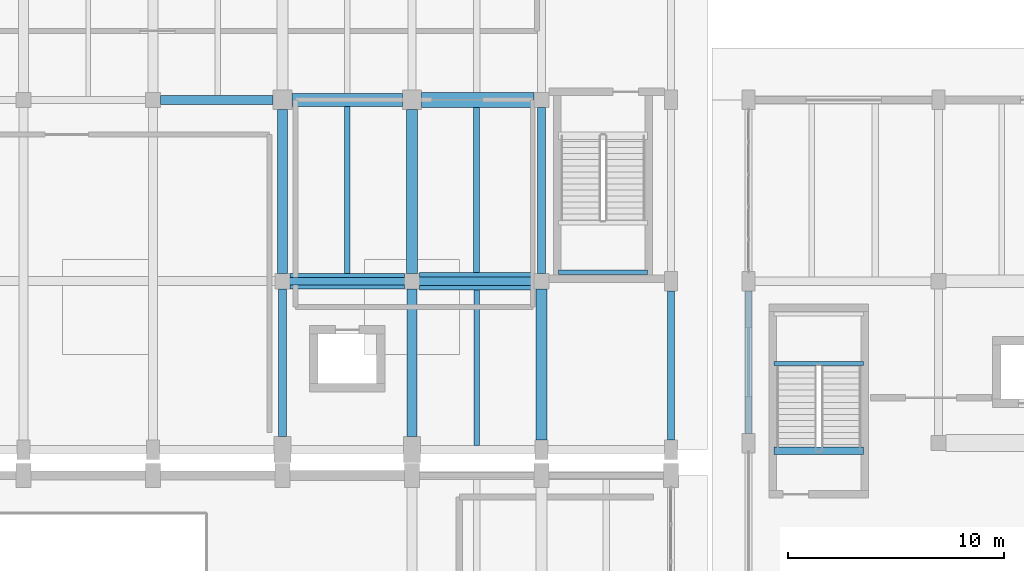
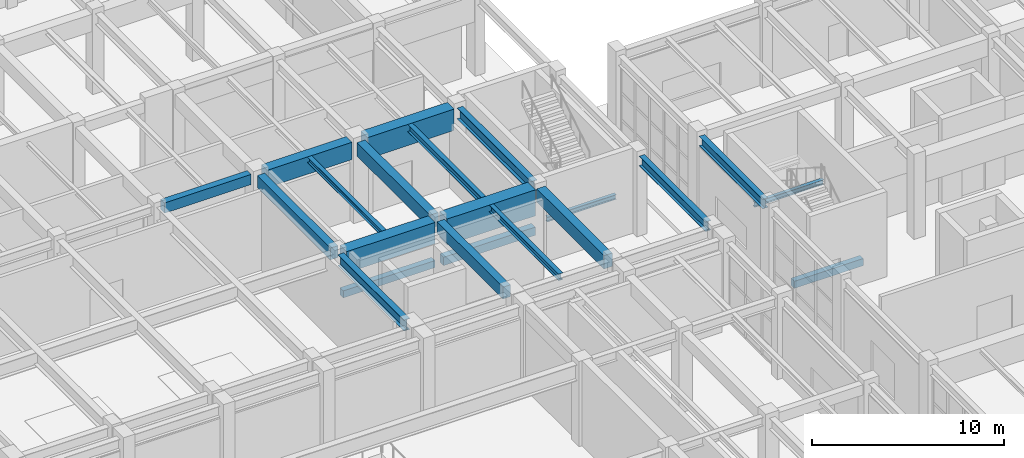
# One storey, part 46 of 91: 21 beams.
"""IFC4 building model written with IfcOpenShell, lengths in metres."""

from ifc_helpers import new_model, si_unit, direction, frame, origin, origin_2d, place, context, subcontext, project, spatial, rectangle, i_section, extrude, material, material_profile, profile_set, type_object, element, save


model = new_model("IFC4")

# Units and contexts
model_context = context("Model", 3, precision=1e-05, world=origin(), true_north=direction((0.0, 1.0)))
body_context = subcontext(model_context, "Body", "Model", "MODEL_VIEW")
ifc_project = project(units=[si_unit("LENGTHUNIT", "METRE"), si_unit("AREAUNIT", "SQUARE_METRE"), si_unit("VOLUMEUNIT", "CUBIC_METRE"), si_unit("PLANEANGLEUNIT", "RADIAN"), si_unit("MASSUNIT", "GRAM", prefix="KILO")], contexts=[model_context])

# Site, building, storey
site_placement = place(None, origin())
site = spatial("IfcSite", under=ifc_project, at=site_placement, CompositionType="ELEMENT")
building_placement = place(site_placement, origin())
building = spatial("IfcBuilding", under=site, at=building_placement, Name="Vaelkrest Opera House", CompositionType="ELEMENT")
storey_placement = place(building_placement, origin())
storey = spatial("IfcBuildingStorey", under=building, at=storey_placement, Name="L00", CompositionType="ELEMENT", Elevation=0.0)

# Beams
ifc_material_1 = material(Name="Concrete C50/60", Category="concrete")
ifc_material_profile_1 = material_profile(ifc_material_1, rectangle(XDim=0.39990234375, YDim=0.64990234375, at=origin_2d()), Name="RCB400X650")
ifc_profile_set_1 = profile_set([ifc_material_profile_1], Name="Concrete C50/60")
beam_type_1 = type_object("IfcBeamType", Name="B01", PredefinedType="BEAM", material=ifc_profile_set_1)
beam_1_placement = place(storey_placement, frame((6.35009765625, 33.60009765625, 4.7548828125), z_axis=(1.0, 0.0, 0.0), x_axis=(0.0, 1.0, 0.0)))
element("IfcBeam", 1, at=beam_1_placement, inside=storey, type_object=beam_type_1, Name="Beam BM-V2-L00-0765", PredefinedType="BEAM", context=body_context, shape_type="SweptSolid", body=[
    extrude(rectangle(XDim=0.39990234375, YDim=0.64990234375, at=origin_2d()), origin(), (0.0, 0.0, 1.0), 5.199951171875),
])
ifc_material_profile_2 = material_profile(ifc_material_1, rectangle(XDim=0.449951171875, YDim=0.75, at=origin_2d()), Name="RCB450X750")
ifc_profile_set_2 = profile_set([ifc_material_profile_2], Name="Concrete C50/60")
beam_type_2 = type_object("IfcBeamType", Name="B02", PredefinedType="BEAM", material=ifc_profile_set_2)
beam_2_placement = place(storey_placement, frame((12.0, 25.550048828125, 4.705078125), z_axis=(0.0, 1.0, 0.0), x_axis=(-1.0, 0.0, 0.0)))
element("IfcBeam", 2, at=beam_2_placement, inside=storey, type_object=beam_type_2, Name="Beam BM-V2-L00-0823", PredefinedType="BEAM", context=body_context, shape_type="SweptSolid", body=[
    extrude(rectangle(XDim=0.449951171875, YDim=0.75, at=origin_2d()), origin(), (0.0, 0.0, 1.0), 7.599853515625),
])
beam_3_placement = place(storey_placement, frame((18.0, 18.0, 4.705078125), z_axis=(0.0, 1.0, 0.0), x_axis=(-1.0, 0.0, 0.0)))
element("IfcBeam", 3, at=beam_3_placement, inside=storey, type_object=beam_type_2, Name="Beam BM-V2-L00-0827", PredefinedType="BEAM", context=body_context, shape_type="SweptSolid", body=[
    extrude(rectangle(XDim=0.449951171875, YDim=0.75, at=origin_2d()), origin(), (0.0, 0.0, 1.0), 6.85009765625),
])
ifc_material_profile_3 = material_profile(ifc_material_1, rectangle(XDim=0.5, YDim=0.85009765625, at=origin_2d()), Name="RCB500X850")
ifc_profile_set_3 = profile_set([ifc_material_profile_3], Name="Concrete C50/60")
beam_type_3 = type_object("IfcBeamType", Name="B03", PredefinedType="BEAM", material=ifc_profile_set_3)
beam_4_placement = place(storey_placement, frame((18.0, 25.550048828125, 4.655029296875), z_axis=(0.0, 1.0, 0.0), x_axis=(-1.0, 0.0, 0.0)))
element("IfcBeam", 4, at=beam_4_placement, inside=storey, type_object=beam_type_3, Name="Beam BM-V2-L00-0828", PredefinedType="BEAM", context=body_context, shape_type="SweptSolid", body=[
    extrude(rectangle(XDim=0.5, YDim=0.85009765625, at=origin_2d()), origin(), (0.0, 0.0, 1.0), 7.599853515625),
])
beam_5_placement = place(storey_placement, frame((24.0, 17.85009765625, 4.655029296875), z_axis=(0.0, 1.0, 0.0), x_axis=(-1.0, 0.0, 0.0)))
element("IfcBeam", 5, at=beam_5_placement, inside=storey, type_object=beam_type_3, Name="Beam BM-V2-L00-0832", PredefinedType="BEAM", context=body_context, shape_type="SweptSolid", body=[
    extrude(rectangle(XDim=0.5, YDim=0.85009765625, at=origin_2d()), origin(), (0.0, 0.0, 1.0), 7.0),
])
ifc_material_profile_4 = material_profile(ifc_material_1, rectangle(XDim=0.60009765625, YDim=1.10009765625, at=origin_2d()), Name="RCB600X1100")
ifc_profile_set_4 = profile_set([ifc_material_profile_4], Name="Concrete C50/60")
beam_type_4 = type_object("IfcBeamType", Name="B05", PredefinedType="BEAM", material=ifc_profile_set_4)
beam_6_placement = place(storey_placement, frame((12.449951171875, 33.60009765625, 4.530029296875), z_axis=(1.0, 0.0, 0.0), x_axis=(0.0, 1.0, 0.0)))
element("IfcBeam", 6, at=beam_6_placement, inside=storey, type_object=beam_type_4, Name="Beam BM-V2-L00-0766", PredefinedType="BEAM", context=body_context, shape_type="SweptSolid", body=[
    extrude(rectangle(XDim=0.60009765625, YDim=1.10009765625, at=origin_2d()), origin(), (0.0, 0.0, 1.0), 5.10009765625),
])
ifc_material_profile_5 = material_profile(ifc_material_1, rectangle(XDim=0.699951171875, YDim=1.35009765625, at=origin_2d()), Name="RCB700X1350")
ifc_profile_set_5 = profile_set([ifc_material_profile_5], Name="Concrete C50/60")
beam_type_5 = type_object("IfcBeamType", Name="B06", PredefinedType="BEAM", material=ifc_profile_set_5)
beam_7_placement = place(storey_placement, frame((12.35009765625, 25.199951171875, 4.405029296875), z_axis=(1.0, 0.0, 0.0), x_axis=(0.0, 1.0, 0.0)))
element("IfcBeam", 7, at=beam_7_placement, inside=storey, type_object=beam_type_5, Name="Beam BM-V2-L00-0759", PredefinedType="BEAM", context=body_context, shape_type="SweptSolid", body=[
    extrude(rectangle(XDim=0.699951171875, YDim=1.35009765625, at=origin_2d()), origin(), (0.0, 0.0, 1.0), 5.2998046875),
])
beam_8_placement = place(storey_placement, frame((18.449951171875, 33.60009765625, 4.405029296875), z_axis=(1.0, 0.0, 0.0), x_axis=(0.0, 1.0, 0.0)))
element("IfcBeam", 8, at=beam_8_placement, inside=storey, type_object=beam_type_5, Name="Beam BM-V2-L00-0767", PredefinedType="BEAM", context=body_context, shape_type="SweptSolid", body=[
    extrude(rectangle(XDim=0.699951171875, YDim=1.35009765625, at=origin_2d()), origin(), (0.0, 0.0, 1.0), 5.199951171875),
])
ifc_material_profile_6 = material_profile(ifc_material_1, rectangle(XDim=0.800048828125, YDim=1.64990234375, at=origin_2d()), Name="RCB800X1650")
ifc_profile_set_6 = profile_set([ifc_material_profile_6], Name="Concrete C50/60")
beam_type_6 = type_object("IfcBeamType", Name="B07", PredefinedType="BEAM", material=ifc_profile_set_6)
beam_9_placement = place(storey_placement, frame((18.35009765625, 25.199951171875, 4.2548828125), z_axis=(1.0, 0.0, 0.0), x_axis=(0.0, 1.0, 0.0)))
element("IfcBeam", 9, at=beam_9_placement, inside=storey, type_object=beam_type_6, Name="Beam BM-V2-L00-0760", PredefinedType="BEAM", context=body_context, shape_type="SweptSolid", body=[
    extrude(rectangle(XDim=0.800048828125, YDim=1.64990234375, at=origin_2d()), origin(), (0.0, 0.0, 1.0), 5.2998046875),
])
ifc_material_2 = material(Name="Steel A992 Gr50", Category="steel")
ifc_material_profile_7 = material_profile(ifc_material_2, i_section(OverallWidth=0.35498046875, OverallDepth=0.695068359375, WebThickness=0.015380859375, FlangeThickness=0.02490234375, at=origin_2d()), Name="W27X146")
ifc_profile_set_7 = profile_set([ifc_material_profile_7], Name="Steel A992 Gr50")
beam_type_7 = type_object("IfcBeamType", Name="B10", PredefinedType="BEAM", material=ifc_profile_set_7)
beam_10_placement = place(storey_placement, frame((24.0, 25.550048828125, 4.732421875), z_axis=(0.0, 1.0, 0.0), x_axis=(-1.0, 0.0, 0.0)))
element("IfcBeam", 10, at=beam_10_placement, inside=storey, type_object=beam_type_7, Name="Beam BM-V2-L00-0833", PredefinedType="BEAM", context=body_context, shape_type="SweptSolid", body=[
    extrude(i_section(OverallWidth=0.35498046875, OverallDepth=0.695068359375, WebThickness=0.015380859375, FlangeThickness=0.02490234375, at=origin_2d()), origin(), (0.0, 0.0, 1.0), 7.699951171875),
])
ifc_material_profile_8 = material_profile(ifc_material_2, i_section(OverallWidth=0.35791015625, OverallDepth=0.7060546875, WebThickness=0.018310546875, FlangeThickness=0.0302734375, at=origin_2d()), Name="W27X178")
ifc_profile_set_8 = profile_set([ifc_material_profile_8], Name="Steel A992 Gr50")
beam_type_8 = type_object("IfcBeamType", Name="B14", PredefinedType="BEAM", material=ifc_profile_set_8)
beam_11_placement = place(storey_placement, frame((12.0, 18.0, 4.72705078125), z_axis=(0.0, 1.0, 0.0), x_axis=(-1.0, 0.0, 0.0)))
element("IfcBeam", 11, at=beam_11_placement, inside=storey, type_object=beam_type_8, Name="Beam BM-V2-L00-0822", PredefinedType="BEAM", context=body_context, shape_type="SweptSolid", body=[
    extrude(i_section(OverallWidth=0.35791015625, OverallDepth=0.7060546875, WebThickness=0.018310546875, FlangeThickness=0.0302734375, at=origin_2d()), origin(), (0.0, 0.0, 1.0), 6.85009765625),
])
ifc_material_profile_9 = material_profile(ifc_material_2, i_section(OverallWidth=0.202880859375, OverallDepth=0.302978515625, WebThickness=0.007568359375, FlangeThickness=0.01318359375, at=origin_2d()), Name="W12X40")
ifc_profile_set_9 = profile_set([ifc_material_profile_9], Name="Steel A992 Gr50")
beam_type_9 = type_object("IfcBeamType", Name="J02", PredefinedType="JOIST", material=ifc_profile_set_9)
for number, where, z_axis, x_axis, name in (
    (12, (24.780029296875, 25.6201171875, 2.348388671875), (1.0, 0.0, 0.0), (0.0, 1.0, 0.0), "Stair landing bearer beam ST06 L00-1N"),
    (13, (34.780029296875, 21.389892578125, 2.348388671875), (1.0, 0.0, 0.0), (0.0, 1.0, 0.0), "Stair landing bearer beam ST09 L00-1N"),
):
    element("IfcBeam", number, at=place(storey_placement, frame(where, z_axis=z_axis, x_axis=x_axis)), inside=storey, type_object=beam_type_9, Name=name, PredefinedType="JOIST", context=body_context, shape_type="SweptSolid", body=[
        extrude(i_section(OverallWidth=0.202880859375, OverallDepth=0.302978515625, WebThickness=0.007568359375, FlangeThickness=0.01318359375, at=origin_2d()), origin(), (0.0, 0.0, 1.0), 4.139892578125),
    ])
ifc_material_profile_10 = material_profile(ifc_material_2, i_section(OverallWidth=0.2548828125, OverallDepth=0.35693359375, WebThickness=0.010498046875, FlangeThickness=0.018310546875, at=origin_2d()), Name="W14X68")
ifc_profile_set_10 = profile_set([ifc_material_profile_10], Name="Steel A992 Gr50")
beam_type_10 = type_object("IfcBeamType", Name="J05", PredefinedType="JOIST", material=ifc_profile_set_10)
beam_12_placement = place(storey_placement, frame((15.0, 25.550048828125, 4.901611328125), z_axis=(0.0, 1.0, 0.0), x_axis=(-1.0, 0.0, 0.0)))
element("IfcBeam", 14, at=beam_12_placement, inside=storey, type_object=beam_type_10, Name="Floor joist JST-V2-L00-0855", PredefinedType="JOIST", context=body_context, shape_type="SweptSolid", body=[
    extrude(i_section(OverallWidth=0.2548828125, OverallDepth=0.35693359375, WebThickness=0.010498046875, FlangeThickness=0.018310546875, at=origin_2d()), origin(), (0.0, 0.0, 1.0), 7.75),
])
ifc_material_profile_11 = material_profile(ifc_material_2, i_section(OverallWidth=0.261962890625, OverallDepth=0.4189453125, WebThickness=0.01171875, FlangeThickness=0.019287109375, at=origin_2d()), Name="W16X77")
ifc_profile_set_11 = profile_set([ifc_material_profile_11], Name="Steel A992 Gr50")
beam_type_11 = type_object("IfcBeamType", Name="J08", PredefinedType="JOIST", material=ifc_profile_set_11)
beam_13_placement = place(storey_placement, frame((21.0, 17.577392578125, 4.87060546875), z_axis=(0.0, 1.0, 0.0), x_axis=(-1.0, 0.0, 0.0)))
element("IfcBeam", 15, at=beam_13_placement, inside=storey, type_object=beam_type_11, Name="Floor joist JST-V2-L00-0858", PredefinedType="JOIST", context=body_context, shape_type="SweptSolid", body=[
    extrude(i_section(OverallWidth=0.261962890625, OverallDepth=0.4189453125, WebThickness=0.01171875, FlangeThickness=0.019287109375, at=origin_2d()), origin(), (0.0, 0.0, 1.0), 7.22265625),
])
ifc_material_profile_12 = material_profile(ifc_material_2, i_section(OverallWidth=0.280029296875, OverallDepth=0.462890625, WebThickness=0.0107421875, FlangeThickness=0.017333984375, at=origin_2d()), Name="W18X76")
ifc_profile_set_12 = profile_set([ifc_material_profile_12], Name="Steel A992 Gr50")
beam_type_12 = type_object("IfcBeamType", Name="J09", PredefinedType="JOIST", material=ifc_profile_set_12)
beam_14_placement = place(storey_placement, frame((21.0, 25.60009765625, 4.848388671875), z_axis=(0.0, 1.0, 0.0), x_axis=(-1.0, 0.0, 0.0)))
element("IfcBeam", 16, at=beam_14_placement, inside=storey, type_object=beam_type_12, Name="Floor joist JST-V2-L00-0859", PredefinedType="JOIST", context=body_context, shape_type="SweptSolid", body=[
    extrude(i_section(OverallWidth=0.280029296875, OverallDepth=0.462890625, WebThickness=0.0107421875, FlangeThickness=0.017333984375, at=origin_2d()), origin(), (0.0, 0.0, 1.0), 7.64990234375),
])
ifc_material_profile_13 = material_profile(ifc_material_1, rectangle(XDim=0.35009765625, YDim=0.449951171875, at=origin_2d()), Name="RCB350X450")
ifc_profile_set_13 = profile_set([ifc_material_profile_13], Name="Concrete C50/60")
beam_type_13 = type_object("IfcBeamType", Name="LN01", PredefinedType="LINTEL", material=ifc_profile_set_13)
beam_15_placement = place(storey_placement, frame((12.25, 25.199951171875, 2.300048828125), z_axis=(1.0, 0.0, 0.0), x_axis=(0.0, 1.0, 0.0)))
element("IfcBeam", 17, at=beam_15_placement, inside=storey, type_object=beam_type_13, Name="Portal lintel L00-1", PredefinedType="LINTEL", context=body_context, shape_type="SweptSolid", body=[
    extrude(rectangle(XDim=0.35009765625, YDim=0.449951171875, at=origin_2d()), origin(), (0.0, 0.0, 1.0), 5.5),
])
beam_16_placement = place(storey_placement, frame((34.780029296875, 17.35009765625, -0.22509765625), z_axis=(1.0, 0.0, 0.0), x_axis=(0.0, 1.0, 0.0)))
element("IfcBeam", 18, at=beam_16_placement, inside=storey, type_object=beam_type_13, Name="Stairwell trimmer beam ST09 L00", PredefinedType="LINTEL", context=body_context, shape_type="SweptSolid", body=[
    extrude(rectangle(XDim=0.35009765625, YDim=0.449951171875, at=origin_2d()), origin(), (0.0, 0.0, 1.0), 4.139892578125),
])
ifc_material_profile_14 = material_profile(ifc_material_1, rectangle(XDim=0.39990234375, YDim=0.52001953125, at=origin_2d()), Name="RCB400X520")
ifc_profile_set_14 = profile_set([ifc_material_profile_14], Name="Concrete C50/60")
beam_type_14 = type_object("IfcBeamType", Name="LN02", PredefinedType="LINTEL", material=ifc_profile_set_14)
beam_17_placement = place(storey_placement, frame((18.25, 25.199951171875, 2.300048828125), z_axis=(1.0, 0.0, 0.0), x_axis=(0.0, 1.0, 0.0)))
element("IfcBeam", 19, at=beam_17_placement, inside=storey, type_object=beam_type_14, Name="Portal lintel L00-2", PredefinedType="LINTEL", context=body_context, shape_type="SweptSolid", body=[
    extrude(rectangle(XDim=0.39990234375, YDim=0.52001953125, at=origin_2d()), origin(), (0.0, 0.0, 1.0), 5.5),
])
ifc_material_profile_15 = material_profile(ifc_material_2, i_section(OverallWidth=0.323974609375, OverallDepth=0.611083984375, WebThickness=0.0126953125, FlangeThickness=0.01904296875, at=origin_2d()), Name="W24X104")
ifc_profile_set_15 = profile_set([ifc_material_profile_15], Name="Steel A992 Gr50")
beam_type_15 = type_object("IfcBeamType", Name="SP01", PredefinedType="SPANDREL", material=ifc_profile_set_15)
beam_18_placement = place(storey_placement, frame((30.0, 17.85009765625, 4.7744140625), z_axis=(0.0, 1.0, 0.0), x_axis=(-1.0, 0.0, 0.0)))
element("IfcBeam", 20, at=beam_18_placement, inside=storey, type_object=beam_type_15, Name="Beam BM-V2-L00-0837", PredefinedType="SPANDREL", context=body_context, shape_type="SweptSolid", body=[
    extrude(i_section(OverallWidth=0.323974609375, OverallDepth=0.611083984375, WebThickness=0.0126953125, FlangeThickness=0.01904296875, at=origin_2d()), origin(), (0.0, 0.0, 1.0), 6.89990234375),
])
beam_19_placement = place(storey_placement, frame((33.60009765625, 18.14990234375, 4.7744140625), z_axis=(0.0, 1.0, 0.0), x_axis=(-1.0, 0.0, 0.0)))
element("IfcBeam", 21, at=beam_19_placement, inside=storey, type_object=beam_type_15, Name="Beam BM-V4-L00-1999", PredefinedType="SPANDREL", context=body_context, shape_type="SweptSolid", body=[
    extrude(i_section(OverallWidth=0.323974609375, OverallDepth=0.611083984375, WebThickness=0.0126953125, FlangeThickness=0.01904296875, at=origin_2d()), origin(), (0.0, 0.0, 1.0), 6.60009765625),
])

save(model, "model.ifc")
